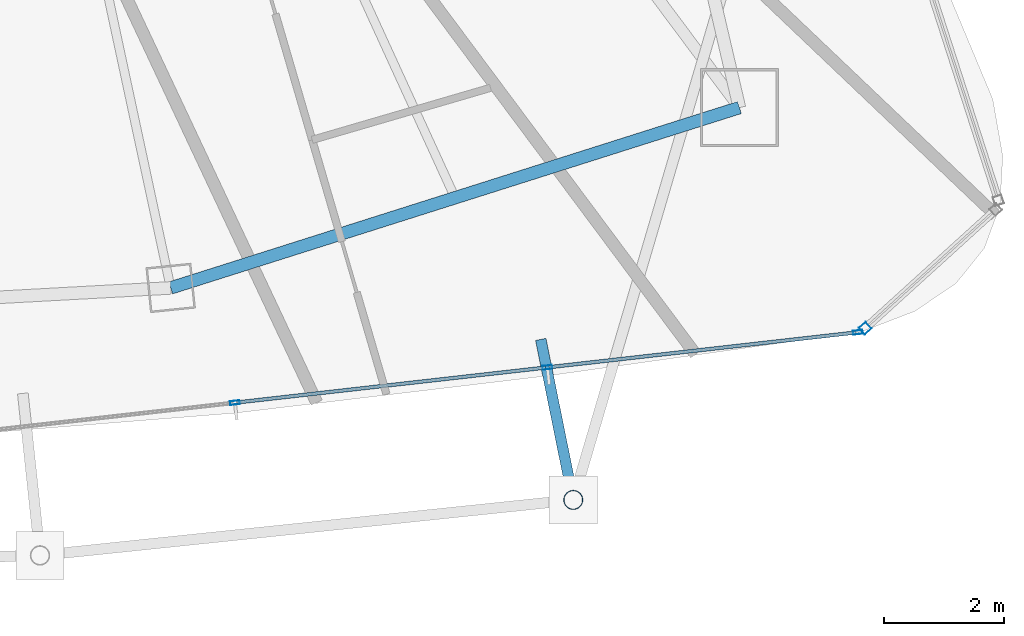
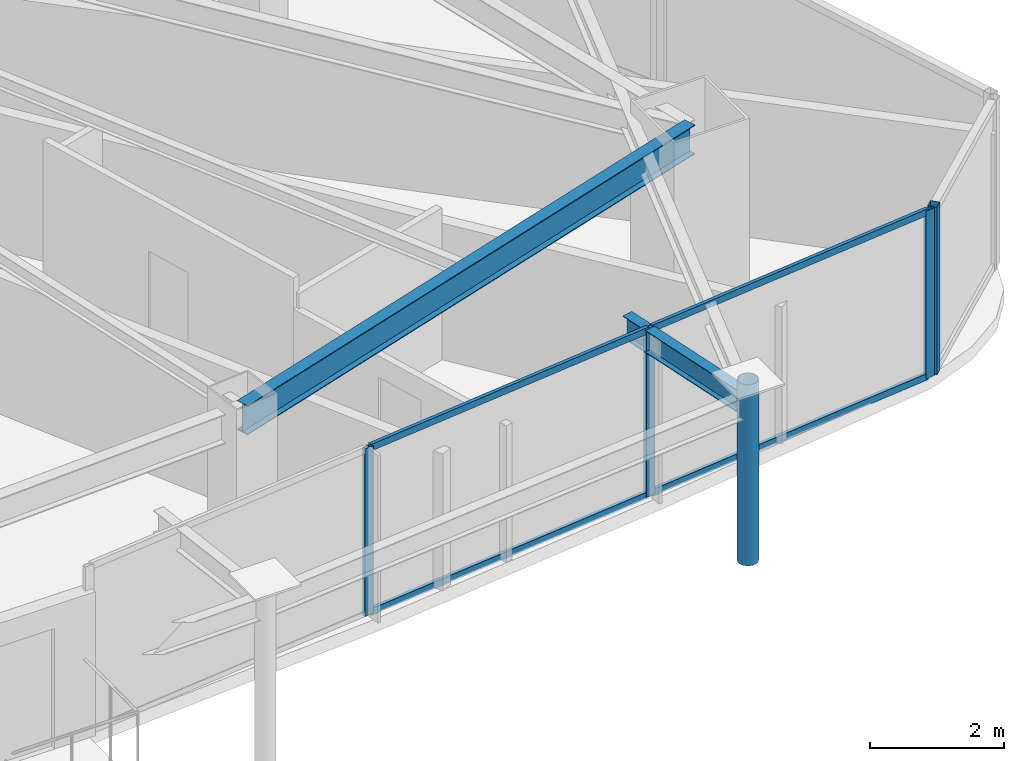
# One storey, part 14 of 32: 9 members, 2 beams, 2 elements without a shape of their own.
"""IFC4 building model written with IfcOpenShell, lengths in metres."""

import ifcopenshell
import ifcopenshell.guid

model = None  # the IFC model being written
_history = None  # IfcOwnerHistory: only IFC2X3 demands one
_inside = {}  # id of a spatial element -> (the spatial element, [elements in it])
_under = {}  # id of a project, library or spatial element -> (it, [spatial elements below it])
_declared = {}  # id of a project -> (the project, [libraries it declares])
_typed = {}  # id of a type object -> (the type object, [elements of that type])
_made_of = {}  # id of a material, layer set ... -> (it, [elements and type objects made of it])


def new_model(schema):
    """Start an empty IFC model of exactly this schema.

    Asked for "IFC4X3", IfcOpenShell would pick the latest addendum, in which some entities
    have other attributes; the version numbers below select the first issue.
    IFC2X3 requires an IfcOwnerHistory on every rooted entity: one is made here for all.
    """
    global model, _history
    if schema == "IFC4X3":
        model = ifcopenshell.file(schema_version=(4, 3, 0, 0))
    else:
        model = ifcopenshell.file(schema=schema)
    _inside.clear()
    _under.clear()
    _declared.clear()
    _typed.clear()
    _made_of.clear()
    _history = None
    if model.schema == "IFC2X3":
        org = make("IfcOrganization", Name="unknown")
        user = make(
            "IfcPersonAndOrganization",
            ThePerson=make("IfcPerson", FamilyName="unknown"),
            TheOrganization=org,
        )
        app = make(
            "IfcApplication",
            ApplicationDeveloper=org,
            Version="unknown",
            ApplicationFullName="unknown",
            ApplicationIdentifier="unknown",
        )
        _history = make(
            "IfcOwnerHistory",
            OwningUser=user,
            OwningApplication=app,
            ChangeAction="ADDED",
            CreationDate=0,
        )
    return model


def make(cls, **values):
    """One entity of the class cls with the attributes given. An attribute that is None is left unset."""
    return model.create_entity(
        cls, **{name: value for name, value in values.items() if value is not None}
    )


def rooted(cls, **values):
    """An entity with a GlobalId (a new one), such as an element, a storey or a relation."""
    return make(cls, GlobalId=ifcopenshell.guid.new(), OwnerHistory=_history, **values)


def si_unit(unit_type, name, prefix=None):
    """IfcSIUnit, for example si_unit("LENGTHUNIT", "METRE", prefix="MILLI")."""
    return make("IfcSIUnit", UnitType=unit_type, Prefix=prefix, Name=name)


def assignment(units):
    """IfcUnitAssignment: the units of a project."""
    return None if units is None else make("IfcUnitAssignment", Units=units)


def point(xyz):
    """IfcCartesianPoint."""
    return None if xyz is None else make("IfcCartesianPoint", Coordinates=xyz)


def direction(xyz):
    """IfcDirection."""
    return None if xyz is None else make("IfcDirection", DirectionRatios=xyz)


def frame(location, z_axis=None, x_axis=None):
    """IfcAxis2Placement3D, a coordinate frame: its origin and axes. An axis left out is left unset."""
    return make(
        "IfcAxis2Placement3D",
        Location=point(location),
        Axis=direction(z_axis),
        RefDirection=direction(x_axis),
    )


def frame_2d(location, x_axis=None):
    """IfcAxis2Placement2D, a coordinate frame in the plane: its origin and x axis."""
    return make(
        "IfcAxis2Placement2D", Location=point(location), RefDirection=direction(x_axis)
    )


def origin():
    """The frame at (0, 0, 0) with its axes left unset."""
    return frame((0.0, 0.0, 0.0))


def origin_2d():
    """The frame at (0, 0) in the plane with its x axis left unset."""
    return frame_2d((0.0, 0.0))


def place(relative_to, where):
    """IfcLocalPlacement: puts the frame where relative to a parent placement (None: the world)."""
    return make(
        "IfcLocalPlacement", PlacementRelTo=relative_to, RelativePlacement=where
    )


def context(
    kind, dimensions, precision=None, world=None, true_north=None, identifier=None
):
    """IfcGeometricRepresentationContext, for example the 3D "Model" context."""
    return make(
        "IfcGeometricRepresentationContext",
        ContextIdentifier=identifier,
        ContextType=kind,
        CoordinateSpaceDimension=dimensions,
        Precision=precision,
        WorldCoordinateSystem=world,
        TrueNorth=true_north,
    )


def subcontext(parent, identifier, kind, view, scale=None):
    """IfcGeometricRepresentationSubContext, for example "Body" below "Model"."""
    return make(
        "IfcGeometricRepresentationSubContext",
        ContextIdentifier=identifier,
        ContextType=kind,
        ParentContext=parent,
        TargetScale=scale,
        TargetView=view,
    )


def project(units=None, contexts=None):
    """IfcProject with its units and contexts."""
    return rooted(
        "IfcProject",
        Name="project",
        RepresentationContexts=contexts,
        UnitsInContext=assignment(units),
    )


def spatial(cls, under=None, at=None, **own):
    """A site, building, storey or space (cls), placed at a placement, below another one or the project."""
    s = rooted(cls, ObjectPlacement=at, **own)
    if under is not None:
        _under.setdefault(under.id(), (under, []))[1].append(s)
    return s


def profile(cls, at=None, kind="AREA", **sizes):
    """A parametric profile (cls). Its sizes go by their IFC names, for example OverallWidth=200.0."""
    return make(cls, ProfileType=kind, Position=at, **sizes)


def hollow_rectangle(**sizes):
    """IfcRectangleHollowProfileDef."""
    return profile("IfcRectangleHollowProfileDef", **sizes)


def hollow_circle(**sizes):
    """IfcCircleHollowProfileDef."""
    return profile("IfcCircleHollowProfileDef", **sizes)


def i_section(**sizes):
    """IfcIShapeProfileDef."""
    return profile("IfcIShapeProfileDef", **sizes)


def extrude(swept, where, along, depth):
    """IfcExtrudedAreaSolid: the profile swept, set in the frame where, extruded along a direction by depth."""
    return make(
        "IfcExtrudedAreaSolid",
        SweptArea=swept,
        Position=where,
        ExtrudedDirection=direction(along),
        Depth=depth,
    )


def shape(context_of_items, identifier, shape_type, items):
    """IfcShapeRepresentation: the items that make up one representation, for example the "Body"."""
    return make(
        "IfcShapeRepresentation",
        ContextOfItems=context_of_items,
        RepresentationIdentifier=identifier,
        RepresentationType=shape_type,
        Items=items,
    )


def material(Name=None, Category=None):
    """IfcMaterial."""
    return make("IfcMaterial", Name=Name, Category=Category)


def layer(
    of_material, thickness, ventilated=None, Name=None, Category=None, Priority=None
):
    """IfcMaterialLayer: one layer of a wall or slab, of a material (None: an air gap)."""
    return make(
        "IfcMaterialLayer",
        Material=of_material,
        LayerThickness=thickness,
        IsVentilated=ventilated,
        Name=Name,
        Category=Category,
        Priority=Priority,
    )


def layer_set(layers, Name=None):
    """IfcMaterialLayerSet."""
    return make("IfcMaterialLayerSet", MaterialLayers=layers, LayerSetName=Name)


def material_profile(
    of_material, cross_section, Name=None, Category=None, Priority=None
):
    """IfcMaterialProfile: a cross section and its material."""
    return make(
        "IfcMaterialProfile",
        Name=Name,
        Material=of_material,
        Profile=cross_section,
        Priority=Priority,
        Category=Category,
    )


def profile_set(profiles, Name=None, composite=None):
    """IfcMaterialProfileSet."""
    return make(
        "IfcMaterialProfileSet",
        Name=Name,
        MaterialProfiles=profiles,
        CompositeProfile=composite,
    )


def made_of(thing, what):
    """Note that an element or type object is made of a material, layer set ...; save() writes the relation."""
    if what is not None:
        _made_of.setdefault(what.id(), (what, []))[1].append(thing)
    return thing


def type_object(cls, material=None, **own):
    """A type object (cls), such as IfcWallType, which elements share."""
    return made_of(rooted(cls, **own), material)


def element(
    cls,
    number,
    at=None,
    inside=None,
    cuts=None,
    type_object=None,
    material=None,
    context=None,
    identifier="Body",
    shape_type=None,
    held_by="IfcProductDefinitionShape",
    body=None,
    shapes=None,
    **own,
):
    """One element of the class cls, such as IfcWall. Its Tag is "e" and its number.

    at: its placement. inside: the storey or other place that contains it. cuts: it is an
    opening in that element (IfcRelVoidsElement). A single representation is given by context,
    identifier, shape_type and body (its items); several are given by shapes. held_by: the class
    of the entity that holds the representations. save() writes the other relations.
    """
    e = rooted(cls, Tag="e%d" % number, ObjectPlacement=at, **own)
    if body is not None:
        shapes = [shape(context, identifier, shape_type, body)]
    if shapes is not None:
        e.Representation = make(held_by, Representations=shapes)
    if inside is not None:
        _inside.setdefault(inside.id(), (inside, []))[1].append(e)
    if cuts is not None:
        rooted(
            "IfcRelVoidsElement", RelatingBuildingElement=cuts, RelatedOpeningElement=e
        )
    if type_object is not None:
        _typed.setdefault(type_object.id(), (type_object, []))[1].append(e)
    return made_of(e, material)


def aggregate(whole, parts):
    """IfcRelAggregates: a whole, such as a stair, and the parts it consists of."""
    return rooted("IfcRelAggregates", RelatingObject=whole, RelatedObjects=parts)


def save(model, path):
    """Write the relations noted so far, then the file.

    IfcRelAggregates (storeys below a building ...), IfcRelContainedInSpatialStructure (elements
    in a storey), IfcRelDefinesByType, IfcRelAssociatesMaterial and IfcRelDeclares: one each for
    every whole, place, type object, material and project.
    """
    for whole, parts in _under.values():
        aggregate(whole, parts)
    for where, things in _inside.values():
        rooted(
            "IfcRelContainedInSpatialStructure",
            RelatedElements=things,
            RelatingStructure=where,
        )
    for kind, things in _typed.values():
        rooted("IfcRelDefinesByType", RelatedObjects=things, RelatingType=kind)
    for what, things in _made_of.values():
        rooted("IfcRelAssociatesMaterial", RelatedObjects=things, RelatingMaterial=what)
    for by, libraries in _declared.values():
        rooted("IfcRelDeclares", RelatingContext=by, RelatedDefinitions=libraries)
    model.write(path)


model = new_model("IFC4")

# Units and contexts
model_context = context("Model", 3, precision=1e-05, world=origin(), true_north=direction((0.0, 1.0)))
body_context = subcontext(model_context, "Body", "Model", "MODEL_VIEW")
ifc_project = project(units=[si_unit("LENGTHUNIT", "METRE"), si_unit("AREAUNIT", "SQUARE_METRE"), si_unit("VOLUMEUNIT", "CUBIC_METRE"), si_unit("PLANEANGLEUNIT", "RADIAN"), si_unit("MASSUNIT", "GRAM", prefix="KILO")], contexts=[model_context])

# Site, building, storey
site_placement = place(None, origin())
site = spatial("IfcSite", under=ifc_project, at=site_placement, CompositionType="ELEMENT")
building_placement = place(site_placement, origin())
building = spatial("IfcBuilding", under=site, at=building_placement, Name="Orvanel Arch Residences", CompositionType="ELEMENT")
storey_placement = place(building_placement, frame((0.0, 0.0, 222.800048828125)))
storey = spatial("IfcBuildingStorey", under=building, at=storey_placement, Name="L63", CompositionType="ELEMENT", Elevation=222.800048828125)

# Curtain wall, member
ifc_material_1 = material(Name="Bronze-anodised aluminium AA6063-T6", Category="aluminium")
ifc_layer_1 = layer(ifc_material_1, 0.18994140625)
ifc_layer_set_1 = layer_set([ifc_layer_1], Name="Bronze-anodised aluminium AA6063-T6")
curtain_wall_type_1 = type_object("IfcCurtainWallType", Name="CW5-CRN-SYS", PredefinedType="NOTDEFINED", material=ifc_layer_set_1)
curtain_wall_1_placement = place(storey_placement, origin())
curtain_wall_1 = element("IfcCurtainWall", 1, at=curtain_wall_1_placement, inside=storey, type_object=curtain_wall_type_1, Name="L63 CW5-CRN-SYS Unitised Curtain Wall", PredefinedType="NOTDEFINED")
ifc_material_profile_1 = material_profile(ifc_material_1, hollow_rectangle(XDim=0.14990234375, YDim=0.14990234375, WallThickness=0.0048828125, at=origin_2d()), Name="ALU150x150x5")
ifc_profile_set_1 = profile_set([ifc_material_profile_1], Name="Bronze-anodised aluminium AA6063-T6")
member_type_1 = type_object("IfcMemberType", Name="MUL-150x150", PredefinedType="MULLION", material=ifc_profile_set_1)
member_1_placement = place(storey_placement, frame((53.892578125, 6.6865234375, 0.0), z_axis=(0.0, 0.0, 1.0), x_axis=(-0.672365707037, 0.740219127016, 0.0)))
member_1 = element("IfcMember", 2, at=member_1_placement, type_object=member_type_1, Name="CW-S5 mullion 1", PredefinedType="MULLION", context=body_context, shape_type="SweptSolid", body=[
    extrude(hollow_rectangle(XDim=0.14990234375, YDim=0.14990234375, WallThickness=0.0048828125, at=origin_2d()), origin(), (0.0, 0.0, 1.0), 3.06005859375),
])
aggregate(curtain_wall_1, [member_1])

# Curtain wall, members
ifc_layer_2 = layer(ifc_material_1, 0.175048828125)
ifc_layer_set_2 = layer_set([ifc_layer_2], Name="Bronze-anodised aluminium AA6063-T6")
curtain_wall_type_2 = type_object("IfcCurtainWallType", Name="CW4-HI-SYS", PredefinedType="NOTDEFINED", material=ifc_layer_set_2)
curtain_wall_2_placement = place(storey_placement, origin())
curtain_wall_2 = element("IfcCurtainWall", 3, at=curtain_wall_2_placement, inside=storey, type_object=curtain_wall_type_2, Name="L63 CW4-HI-SYS Unitised Curtain Wall", PredefinedType="NOTDEFINED")
ifc_material_profile_2 = material_profile(ifc_material_1, hollow_rectangle(XDim=0.06494140625, YDim=0.159912109375, WallThickness=0.00390625, at=origin_2d()), Name="ALU160x65x4")
ifc_profile_set_2 = profile_set([ifc_material_profile_2], Name="Bronze-anodised aluminium AA6063-T6")
member_type_2 = type_object("IfcMemberType", Name="MUL-160x65", PredefinedType="MULLION", material=ifc_profile_set_2)
member_2_placement = place(storey_placement, frame((43.41796875, 5.44775390625, 0.0), z_axis=(0.0, 0.0, 1.0), x_axis=(-0.112279844711, 0.993676625705, 0.0)))
member_2 = element("IfcMember", 4, at=member_2_placement, type_object=member_type_2, Name="CW-S4 mullion 2", PredefinedType="MULLION", context=body_context, shape_type="SweptSolid", body=[
    extrude(hollow_rectangle(XDim=0.06494140625, YDim=0.159912109375, WallThickness=0.00390625, at=origin_2d()), origin(), (0.0, 0.0, 1.0), 3.06005859375),
])
member_3_placement = place(storey_placement, frame((48.610107421875, 6.034423828125, 0.0), z_axis=(0.0, 0.0, 1.0), x_axis=(-0.112279844711, 0.993676625705, 0.0)))
member_3 = element("IfcMember", 5, at=member_3_placement, type_object=member_type_2, Name="CW-S4 mullion 3", PredefinedType="MULLION", context=body_context, shape_type="SweptSolid", body=[
    extrude(hollow_rectangle(XDim=0.06494140625, YDim=0.159912109375, WallThickness=0.00390625, at=origin_2d()), origin(), (0.0, 0.0, 1.0), 3.06005859375),
])
member_4_placement = place(storey_placement, frame((53.769775390625, 6.617431640625, 0.0), z_axis=(0.0, 0.0, 1.0), x_axis=(-0.112279844711, 0.993676625705, 0.0)))
member_4 = element("IfcMember", 6, at=member_4_placement, type_object=member_type_2, Name="CW-S4 mullion 4", PredefinedType="MULLION", context=body_context, shape_type="SweptSolid", body=[
    extrude(hollow_rectangle(XDim=0.06494140625, YDim=0.159912109375, WallThickness=0.00390625, at=origin_2d()), origin(), (0.0, 0.0, 1.0), 3.06005859375),
])

# Beams
ifc_material_2 = material(Name="Structural steel AS/NZS 3679.1 Grade 300 (300 MPa)", Category="steel")
ifc_material_profile_3 = material_profile(ifc_material_2, i_section(OverallWidth=0.177978515625, OverallDepth=0.406005859375, WebThickness=0.0078125, FlangeThickness=0.0126953125, at=origin_2d()), Name="410UB59.7")
ifc_profile_set_3 = profile_set([ifc_material_profile_3], Name="Structural steel AS/NZS 3679.1 Grade 300 (300 MPa)")
beam_type_1 = type_object("IfcBeamType", Name="OB-410UB-EXT", PredefinedType="SPANDREL", material=ifc_profile_set_3)
beam_1_placement = place(storey_placement, frame((48.5, 6.4990234375, 2.85693359375), z_axis=(0.198462114114, -0.980108559937, 0.0), x_axis=(0.980108559937, 0.198462114114, 0.0)))
element("IfcBeam", 7, at=beam_1_placement, inside=storey, type_object=beam_type_1, Name="L63 Outer Frame Radial Tie Beam 08", PredefinedType="SPANDREL", context=body_context, shape_type="SweptSolid", body=[
    extrude(i_section(OverallWidth=0.177978515625, OverallDepth=0.406005859375, WebThickness=0.0078125, FlangeThickness=0.0126953125, at=origin_2d()), origin(), (0.0, 0.0, 1.0), 2.72119140625),
])
ifc_material_profile_4 = material_profile(ifc_material_2, i_section(OverallWidth=0.208984375, OverallDepth=0.532958984375, WebThickness=0.01025390625, FlangeThickness=0.015625, at=origin_2d()), Name="530UB92.4")
ifc_profile_set_4 = profile_set([ifc_material_profile_4], Name="Structural steel AS/NZS 3679.1 Grade 300 (300 MPa)")
beam_type_2 = type_object("IfcBeamType", Name="SP-530UB", PredefinedType="SPANDREL", material=ifc_profile_set_4)
beam_2_placement = place(storey_placement, frame((42.35107421875, 7.35498046875, 2.7939453125), z_axis=(0.953237386592, 0.302222574941, 0.0), x_axis=(-0.302222574941, 0.953237386592, 0.0)))
element("IfcBeam", 8, at=beam_2_placement, inside=storey, type_object=beam_type_2, Name="L63 Perimeter Spandrel Beam 05", PredefinedType="SPANDREL", context=body_context, shape_type="SweptSolid", body=[
    extrude(i_section(OverallWidth=0.208984375, OverallDepth=0.532958984375, WebThickness=0.01025390625, FlangeThickness=0.015625, at=origin_2d()), origin(), (0.0, 0.0, 1.0), 9.91357421875),
])

# Member
ifc_material_3 = material(Name="Structural steel AS/NZS 1163 C350L0 (Grade 350)", Category="steel")
ifc_material_profile_5 = material_profile(ifc_material_3, hollow_circle(Radius=0.162109375, WallThickness=0.0126953125, at=origin_2d()), Name="CHS324x12.7")
ifc_profile_set_5 = profile_set([ifc_material_profile_5], Name="Structural steel AS/NZS 1163 C350L0 (Grade 350)")
member_type_3 = type_object("IfcMemberType", Name="ST-324CHS-EXT", PredefinedType="STRUT", material=ifc_profile_set_5)
member_5_placement = place(storey_placement, frame((49.0400390625, 3.83203125, 0.0), z_axis=(0.0, 0.0, 1.0), x_axis=(1.0, 0.0, 0.0)))
element("IfcMember", 9, at=member_5_placement, inside=storey, type_object=member_type_3, Name="L63 Outer Perimeter Frame Post 08", PredefinedType="STRUT", context=body_context, shape_type="SweptSolid", body=[
    extrude(hollow_circle(Radius=0.162109375, WallThickness=0.0126953125, at=origin_2d()), origin(), (0.0, 0.0, 1.0), 3.300048828125),
])

ifc_material_profile_6 = material_profile(ifc_material_1, hollow_rectangle(XDim=0.06005859375, YDim=0.1201171875, WallThickness=0.00341796875, at=origin_2d()), Name="ALU120x60x3.5")
ifc_profile_set_6 = profile_set([ifc_material_profile_6], Name="Bronze-anodised aluminium AA6063-T6")
member_type_4 = type_object("IfcMemberType", Name="TRN-120x60", PredefinedType="USERDEFINED", material=ifc_profile_set_6)
member_6_placement = place(storey_placement, frame((43.4501953125, 5.451416015625, 0.030029296875), z_axis=(0.993677192338, 0.112274829893, 0.0), x_axis=(-0.112274829893, 0.993677192338, 0.0)))
member_6 = element("IfcMember", 10, at=member_6_placement, type_object=member_type_4, Name="CW-S4 transom 2.1", ObjectType="TRANSOM", PredefinedType="USERDEFINED", context=body_context, shape_type="SweptSolid", body=[
    extrude(hollow_rectangle(XDim=0.06005859375, YDim=0.1201171875, WallThickness=0.00341796875, at=origin_2d()), origin(), (0.0, 0.0, 1.0), 5.16015625),
])

member_7_placement = place(storey_placement, frame((43.4501953125, 5.451416015625, 3.030029296875), z_axis=(0.993677192338, 0.112274829893, 0.0), x_axis=(-0.112274829893, 0.993677192338, 0.0)))
member_7 = element("IfcMember", 11, at=member_7_placement, type_object=member_type_4, Name="CW-S4 transom 2.2", ObjectType="TRANSOM", PredefinedType="USERDEFINED", context=body_context, shape_type="SweptSolid", body=[
    extrude(hollow_rectangle(XDim=0.06005859375, YDim=0.1201171875, WallThickness=0.00341796875, at=origin_2d()), origin(), (0.0, 0.0, 1.0), 5.16015625),
])

member_8_placement = place(storey_placement, frame((48.642333984375, 6.0380859375, 0.030029296875), z_axis=(0.993677045887, 0.112276126034, 0.0), x_axis=(-0.112276126034, 0.993677045887, 0.0)))
member_8 = element("IfcMember", 12, at=member_8_placement, type_object=member_type_4, Name="CW-S4 transom 3.1", ObjectType="TRANSOM", PredefinedType="USERDEFINED", context=body_context, shape_type="SweptSolid", body=[
    extrude(hollow_rectangle(XDim=0.06005859375, YDim=0.1201171875, WallThickness=0.00341796875, at=origin_2d()), origin(), (0.0, 0.0, 1.0), 5.12744140625),
])

member_9_placement = place(storey_placement, frame((48.642333984375, 6.0380859375, 3.030029296875), z_axis=(0.993677045887, 0.112276126034, 0.0), x_axis=(-0.112276126034, 0.993677045887, 0.0)))
member_9 = element("IfcMember", 13, at=member_9_placement, type_object=member_type_4, Name="CW-S4 transom 3.2", ObjectType="TRANSOM", PredefinedType="USERDEFINED", context=body_context, shape_type="SweptSolid", body=[
    extrude(hollow_rectangle(XDim=0.06005859375, YDim=0.1201171875, WallThickness=0.00341796875, at=origin_2d()), origin(), (0.0, 0.0, 1.0), 5.12744140625),
])

aggregate(curtain_wall_2, [member_2, member_3, member_4, member_6, member_7, member_8, member_9])

save(model, "model.ifc")
